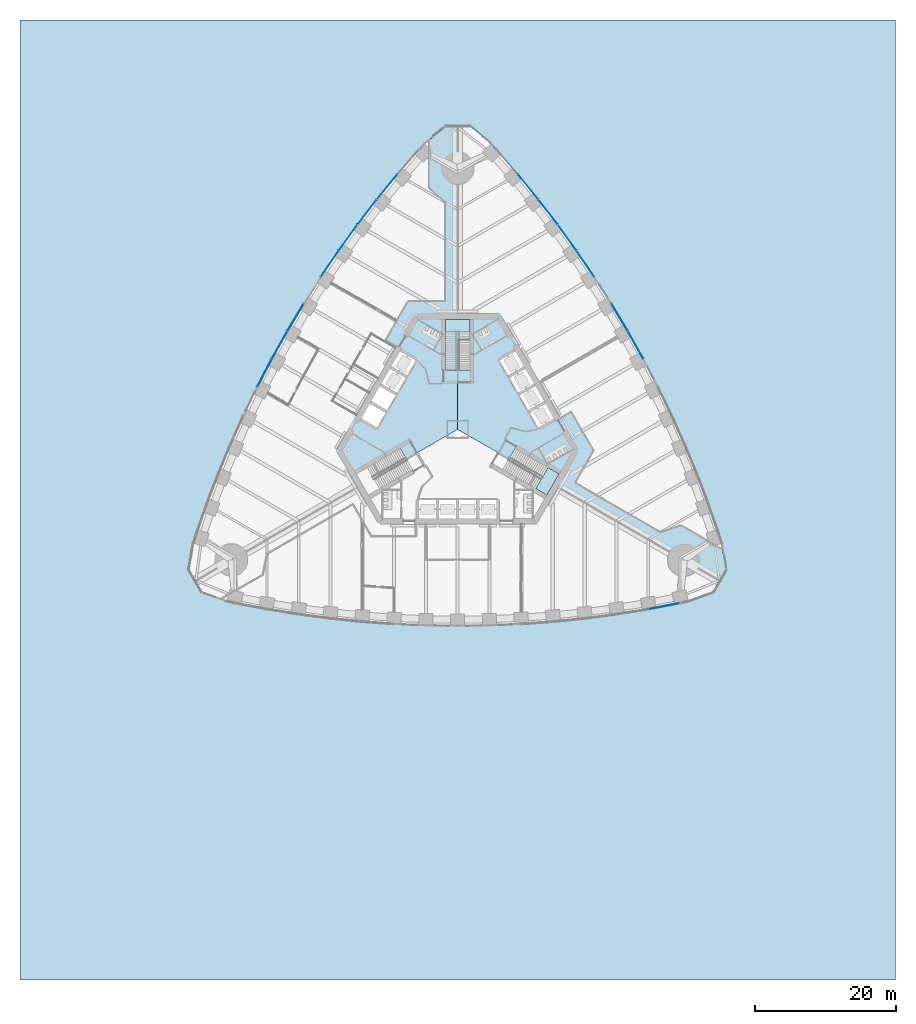
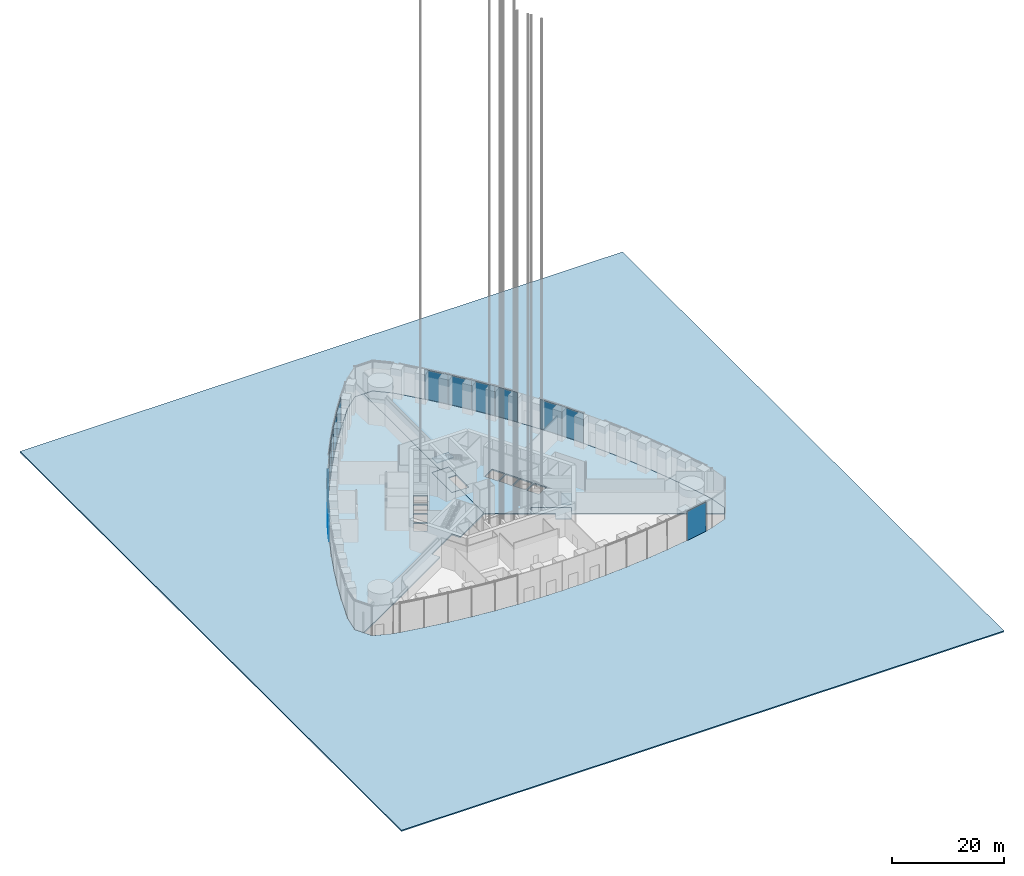
# One storey, part 14 of 43: 14 plates, 7 slabs, 7 elements without a shape of their own.
"""IFC4 building model written with IfcOpenShell, lengths in metres."""

from ifc_helpers import new_model, si_unit, direction, frame, origin, origin_2d, place, context, subcontext, project, spatial, polyline, rectangle, outline, extrude, material, layer, layer_set, type_object, element, aggregate, save


model = new_model("IFC4")

# Units and contexts
model_context = context("Model", 3, precision=1e-05, world=origin(), true_north=direction((0.0, 1.0)))
body_context = subcontext(model_context, "Body", "Model", "MODEL_VIEW")
ifc_project = project(units=[si_unit("LENGTHUNIT", "METRE"), si_unit("AREAUNIT", "SQUARE_METRE"), si_unit("VOLUMEUNIT", "CUBIC_METRE"), si_unit("PLANEANGLEUNIT", "RADIAN"), si_unit("MASSUNIT", "GRAM", prefix="KILO")], contexts=[model_context])

# Site, building, storey
site_placement = place(None, origin())
site = spatial("IfcSite", under=ifc_project, at=site_placement, CompositionType="ELEMENT")
building_placement = place(site_placement, origin())
building = spatial("IfcBuilding", under=site, at=building_placement, Name="Trefoil Bronze Tower", CompositionType="ELEMENT")
storey_placement = place(building_placement, origin())
storey = spatial("IfcBuildingStorey", under=building, at=storey_placement, Name="L00", CompositionType="ELEMENT", Elevation=0.0)

# Curtain wall, plate
ifc_material_1 = material(Name="Tinted solar-control glass", Category="glass")
curtain_wall_type = type_object("IfcCurtainWallType", Name="Bronze podium storefront curtain wall", PredefinedType="USERDEFINED", material=ifc_material_1)
curtain_wall_1_placement = place(storey_placement, origin())
curtain_wall_1 = element("IfcCurtainWall", 1, at=curtain_wall_1_placement, inside=storey, type_object=curtain_wall_type, Name="CW-C L00 F1 run 6", ObjectType="CURTAIN WALL", PredefinedType="USERDEFINED")
ifc_material_2 = material(Name="Tinted solar-control glass", Category="glass")
ifc_layer_1 = layer(ifc_material_2, 0.030029296875)
ifc_layer_set_1 = layer_set([ifc_layer_1], Name="Bronze podium storefront curtain wall glass panel")
plate_type = type_object("IfcPlateType", Name="Bronze podium storefront curtain wall glass panel", PredefinedType="CURTAIN_PANEL", material=ifc_layer_set_1)
plate_1_placement = place(storey_placement, frame((29.268798828125, -25.04638671875, 0.0), z_axis=(0.0, 0.0, 1.0), x_axis=(0.982049823817, 0.188621694249, 0.0)))
plate_1 = element("IfcPlate", 2, at=plate_1_placement, type_object=plate_type, Name="CW-C L00 F1 run 6 panel 5", PredefinedType="CURTAIN_PANEL", context=body_context, shape_type="SweptSolid", body=[
    extrude(rectangle(XDim=4.522216796875, YDim=0.030029296875, at=origin_2d()), origin(), (0.0, 0.0, 1.0), 6.3798828125),
])
aggregate(curtain_wall_1, [plate_1])

# Curtain wall, plates
curtain_wall_2_placement = place(storey_placement, origin())
curtain_wall_2 = element("IfcCurtainWall", 3, at=curtain_wall_2_placement, inside=storey, type_object=curtain_wall_type, Name="CW-C L00 F2 run 3", ObjectType="CURTAIN WALL", PredefinedType="USERDEFINED")
plate_2_placement = place(storey_placement, frame((25.215087890625, 11.958251953125, 0.0), z_axis=(0.0, 0.0, 1.0), x_axis=(-0.487381940453, 0.873188893722, 0.0)))
plate_2 = element("IfcPlate", 4, at=plate_2_placement, type_object=plate_type, Name="CW-C L00 F2 run 3 panel 1", PredefinedType="CURTAIN_PANEL", context=body_context, shape_type="SweptSolid", body=[
    extrude(rectangle(XDim=4.4404296875, YDim=0.030029296875, at=origin_2d()), origin(), (0.0, 0.0, 1.0), 6.3798828125),
])
plate_3_placement = place(storey_placement, frame((22.963623046875, 15.85791015625, 0.0), z_axis=(0.0, 0.0, 1.0), x_axis=(-0.51251279404, 0.858679588639, 0.0)))
plate_3 = element("IfcPlate", 5, at=plate_3_placement, type_object=plate_type, Name="CW-C L00 F2 run 3 panel 2", PredefinedType="CURTAIN_PANEL", context=body_context, shape_type="SweptSolid", body=[
    extrude(rectangle(XDim=4.4404296875, YDim=0.030029296875, at=origin_2d()), origin(), (0.0, 0.0, 1.0), 6.3798828125),
])
aggregate(curtain_wall_2, [plate_2, plate_3])

curtain_wall_3_placement = place(storey_placement, origin())
curtain_wall_3 = element("IfcCurtainWall", 6, at=curtain_wall_3_placement, inside=storey, type_object=curtain_wall_type, Name="CW-C L00 F2 run 5", ObjectType="CURTAIN WALL", PredefinedType="USERDEFINED")
plate_4_placement = place(storey_placement, frame((18.120849609375, 23.460693359375, 0.0), z_axis=(0.0, 0.0, 1.0), x_axis=(-0.56150968077, 0.827470167681, 0.0)))
plate_4 = element("IfcPlate", 7, at=plate_4_placement, type_object=plate_type, Name="CW-C L00 F2 run 5 panel 1", PredefinedType="CURTAIN_PANEL", context=body_context, shape_type="SweptSolid", body=[
    extrude(rectangle(XDim=4.451904296875, YDim=0.030029296875, at=origin_2d()), origin(), (0.0, 0.0, 1.0), 6.3798828125),
])
plate_5_placement = place(storey_placement, frame((15.5283203125, 27.16357421875, 0.0), z_axis=(0.0, 0.0, 1.0), x_axis=(-0.585372522213, 0.810764460394, 0.0)))
plate_5 = element("IfcPlate", 8, at=plate_5_placement, type_object=plate_type, Name="CW-C L00 F2 run 5 panel 2", PredefinedType="CURTAIN_PANEL", context=body_context, shape_type="SweptSolid", body=[
    extrude(rectangle(XDim=4.46337890625, YDim=0.030029296875, at=origin_2d()), origin(), (0.0, 0.0, 1.0), 6.3798828125),
])
plate_6_placement = place(storey_placement, frame((12.821044921875, 30.800048828125, 0.0), z_axis=(0.0, 0.0, 1.0), x_axis=(-0.608807670879, 0.793317855515, 0.0)))
plate_6 = element("IfcPlate", 9, at=plate_6_placement, type_object=plate_type, Name="CW-C L00 F2 run 5 panel 3", PredefinedType="CURTAIN_PANEL", context=body_context, shape_type="SweptSolid", body=[
    extrude(rectangle(XDim=4.478759765625, YDim=0.030029296875, at=origin_2d()), origin(), (0.0, 0.0, 1.0), 6.3798828125),
])
plate_7_placement = place(storey_placement, frame((9.99755859375, 34.369384765625, 0.0), z_axis=(0.0, 0.0, 1.0), x_axis=(-0.631810729457, 0.775122701346, 0.0)))
plate_7 = element("IfcPlate", 10, at=plate_7_placement, type_object=plate_type, Name="CW-C L00 F2 run 5 panel 4", PredefinedType="CURTAIN_PANEL", context=body_context, shape_type="SweptSolid", body=[
    extrude(rectangle(XDim=4.49853515625, YDim=0.030029296875, at=origin_2d()), origin(), (0.0, 0.0, 1.0), 6.3798828125),
])
aggregate(curtain_wall_3, [plate_4, plate_5, plate_6, plate_7])

curtain_wall_4_placement = place(storey_placement, origin())
curtain_wall_4 = element("IfcCurtainWall", 11, at=curtain_wall_4_placement, inside=storey, type_object=curtain_wall_type, Name="CW-C L00 F3 run 1", ObjectType="CURTAIN WALL", PredefinedType="USERDEFINED")
plate_8_placement = place(storey_placement, frame((-9.99755859375, 34.369384765625, 0.0), z_axis=(0.0, 0.0, 1.0), x_axis=(-0.631810729457, -0.775122701346, 0.0)))
plate_8 = element("IfcPlate", 12, at=plate_8_placement, type_object=plate_type, Name="CW-C L00 F3 run 1 panel 3", PredefinedType="CURTAIN_PANEL", context=body_context, shape_type="SweptSolid", body=[
    extrude(rectangle(XDim=4.49853515625, YDim=0.030029296875, at=origin_2d()), origin(), (0.0, 0.0, 1.0), 6.3798828125),
])
plate_9_placement = place(storey_placement, frame((-12.821044921875, 30.800048828125, 0.0), z_axis=(0.0, 0.0, 1.0), x_axis=(-0.608807670879, -0.793317855515, 0.0)))
plate_9 = element("IfcPlate", 13, at=plate_9_placement, type_object=plate_type, Name="CW-C L00 F3 run 1 panel 4", PredefinedType="CURTAIN_PANEL", context=body_context, shape_type="SweptSolid", body=[
    extrude(rectangle(XDim=4.478759765625, YDim=0.030029296875, at=origin_2d()), origin(), (0.0, 0.0, 1.0), 6.3798828125),
])
plate_10_placement = place(storey_placement, frame((-15.5283203125, 27.16357421875, 0.0), z_axis=(0.0, 0.0, 1.0), x_axis=(-0.585372522213, -0.810764460394, 0.0)))
plate_10 = element("IfcPlate", 14, at=plate_10_placement, type_object=plate_type, Name="CW-C L00 F3 run 1 panel 5", PredefinedType="CURTAIN_PANEL", context=body_context, shape_type="SweptSolid", body=[
    extrude(rectangle(XDim=4.46337890625, YDim=0.030029296875, at=origin_2d()), origin(), (0.0, 0.0, 1.0), 6.3798828125),
])
plate_11_placement = place(storey_placement, frame((-18.120849609375, 23.460693359375, 0.0), z_axis=(0.0, 0.0, 1.0), x_axis=(-0.56150968077, -0.827470167681, 0.0)))
plate_11 = element("IfcPlate", 15, at=plate_11_placement, type_object=plate_type, Name="CW-C L00 F3 run 1 panel 6", PredefinedType="CURTAIN_PANEL", context=body_context, shape_type="SweptSolid", body=[
    extrude(rectangle(XDim=4.451904296875, YDim=0.030029296875, at=origin_2d()), origin(), (0.0, 0.0, 1.0), 6.3798828125),
])
aggregate(curtain_wall_4, [plate_8, plate_9, plate_10, plate_11])

curtain_wall_5_placement = place(storey_placement, origin())
curtain_wall_5 = element("IfcCurtainWall", 16, at=curtain_wall_5_placement, inside=storey, type_object=curtain_wall_type, Name="CW-C L00 F3 run 3", ObjectType="CURTAIN WALL", PredefinedType="USERDEFINED")
plate_12_placement = place(storey_placement, frame((-22.963623046875, 15.85791015625, 0.0), z_axis=(0.0, 0.0, 1.0), x_axis=(-0.51251279404, -0.858679588639, 0.0)))
plate_12 = element("IfcPlate", 17, at=plate_12_placement, type_object=plate_type, Name="CW-C L00 F3 run 3 panel 1", PredefinedType="CURTAIN_PANEL", context=body_context, shape_type="SweptSolid", body=[
    extrude(rectangle(XDim=4.4404296875, YDim=0.030029296875, at=origin_2d()), origin(), (0.0, 0.0, 1.0), 6.3798828125),
])
plate_13_placement = place(storey_placement, frame((-25.215087890625, 11.958251953125, 0.0), z_axis=(0.0, 0.0, 1.0), x_axis=(-0.487381940453, -0.873188893722, 0.0)))
plate_13 = element("IfcPlate", 18, at=plate_13_placement, type_object=plate_type, Name="CW-C L00 F3 run 3 panel 2", PredefinedType="CURTAIN_PANEL", context=body_context, shape_type="SweptSolid", body=[
    extrude(rectangle(XDim=4.4404296875, YDim=0.030029296875, at=origin_2d()), origin(), (0.0, 0.0, 1.0), 6.3798828125),
])
plate_14_placement = place(storey_placement, frame((-27.353271484375, 7.9931640625, 0.0), z_axis=(0.0, 0.0, 1.0), x_axis=(-0.46182981834, -0.886968555752, 0.0)))
plate_14 = element("IfcPlate", 19, at=plate_14_placement, type_object=plate_type, Name="CW-C L00 F3 run 3 panel 3", PredefinedType="CURTAIN_PANEL", context=body_context, shape_type="SweptSolid", body=[
    extrude(rectangle(XDim=4.4443359375, YDim=0.030029296875, at=origin_2d()), origin(), (0.0, 0.0, 1.0), 6.3798828125),
])
aggregate(curtain_wall_5, [plate_12, plate_13, plate_14])

# Slabs
ifc_material_3 = material(Name="Concrete B30", Category="concrete")
ifc_layer_2 = layer(ifc_material_3, 0.300048828125)
ifc_layer_set_2 = layer_set([ifc_layer_2], Name="Floor slab 300")
slab_type_1 = type_object("IfcSlabType", Name="Floor slab 300", PredefinedType="FLOOR", material=ifc_layer_set_2)
slab_1_placement = place(storey_placement, frame((0.0, 0.0, -0.300048828125)))
element("IfcSlab", 20, at=slab_1_placement, inside=storey, type_object=slab_type_1, Name="Floor slab L00 face 2", PredefinedType="FLOOR", context=body_context, shape_type="SweptSolid", body=[
    extrude(outline(polyline([(8.47998046875, 36.07275390625), (11.360107421875, 32.53955078125), (14.123291015625, 28.938720703125), (16.771240234375, 25.271240234375), (19.3046875, 21.537841796875), (21.724609375, 17.73876953125), (24.031005859375, 13.874267578125), (26.224609375, 9.944580078125), (28.3046875, 5.949462890625), (30.271240234375, 1.888671875), (32.123291015625, -2.238037109375), (33.860107421875, -6.431640625), (35.47998046875, -10.6923828125), (36.9814453125, -15.021728515625), (37.381103515625, -16.248779296875), (38.0146484375, -19.841552734375), (37.1025390625, -21.421142578125), (13.510009765625, -7.800048828125), (14.37255859375, -6.30615234375), (8.13720703125, -2.7060546875), (7.274658203125, -4.199951171875), (0.0, 0.0), (0.0, 8.39990234375), (1.72509765625, 8.39990234375), (1.72509765625, 15.60009765625), (0.0, 15.60009765625), (0.0, 42.842529296875), (1.82421875, 42.842529296875), (4.618896484375, 40.497314453125), (5.4814453125, 39.537841796875), (8.47998046875, 36.07275390625)]), holes=[polyline([(11.469482421875, 0.184326171875), (10.16943359375, 2.43603515625), (12.3994140625, 3.7236328125), (13.699462890625, 1.471923828125), (11.469482421875, 0.184326171875)]), polyline([(10.04443359375, 2.652587890625), (8.744384765625, 4.904296875), (10.974365234375, 6.191650390625), (12.2744140625, 3.940185546875), (10.04443359375, 2.652587890625)]), polyline([(8.619384765625, 5.120849609375), (7.3193359375, 7.372314453125), (9.54931640625, 8.659912109375), (10.849365234375, 6.408203125), (8.619384765625, 5.120849609375)]), polyline([(7.1943359375, 7.5888671875), (5.894287109375, 9.840576171875), (8.12451171875, 11.128173828125), (9.42431640625, 8.87646484375), (7.1943359375, 7.5888671875)])]), origin(), (0.0, 0.0, 1.0), 0.300048828125),
])
slab_2_placement = place(storey_placement, frame((0.0, 0.0, -0.300048828125)))
element("IfcSlab", 21, at=slab_2_placement, inside=storey, type_object=slab_type_1, Name="Floor slab L00 face 3", PredefinedType="FLOOR", context=body_context, shape_type="SweptSolid", body=[
    extrude(outline(polyline([(-35.47998046875, -10.6923828125), (-33.860107421875, -6.431640625), (-32.123291015625, -2.238037109375), (-30.271240234375, 1.888671875), (-28.3046875, 5.949462890625), (-26.224609375, 9.944580078125), (-24.031005859375, 13.874267578125), (-21.724609375, 17.73876953125), (-19.3046875, 21.537841796875), (-16.771240234375, 25.271240234375), (-14.123291015625, 28.938720703125), (-11.360107421875, 32.53955078125), (-8.47998046875, 36.07275390625), (-5.4814453125, 39.537841796875), (-4.618896484375, 40.497314453125), (-1.82421875, 42.842529296875), (0.0, 42.842529296875), (0.0, 15.60009765625), (-1.72509765625, 15.60009765625), (-1.72509765625, 8.39990234375), (0.0, 8.39990234375), (0.0, 0.0), (-7.274658203125, -4.199951171875), (-8.13720703125, -2.7060546875), (-14.37255859375, -6.30615234375), (-13.510009765625, -7.800048828125), (-37.1025390625, -21.421142578125), (-38.0146484375, -19.841552734375), (-37.381103515625, -16.248779296875), (-36.9814453125, -15.021728515625), (-35.47998046875, -10.6923828125)]), holes=[polyline([(-5.894287109375, 9.840576171875), (-7.1943359375, 7.5888671875), (-9.42431640625, 8.87646484375), (-8.12451171875, 11.128173828125), (-5.894287109375, 9.840576171875)]), polyline([(-7.3193359375, 7.372314453125), (-8.619384765625, 5.120849609375), (-10.849365234375, 6.408203125), (-9.54931640625, 8.659912109375), (-7.3193359375, 7.372314453125)]), polyline([(-8.744384765625, 4.904296875), (-10.04443359375, 2.652587890625), (-12.2744140625, 3.940185546875), (-10.974365234375, 6.191650390625), (-8.744384765625, 4.904296875)]), polyline([(-10.16943359375, 2.43603515625), (-11.469482421875, 0.184326171875), (-13.699462890625, 1.471923828125), (-12.3994140625, 3.7236328125), (-10.16943359375, 2.43603515625)])]), origin(), (0.0, 0.0, 1.0), 0.300048828125),
])
ifc_material_4 = material(Name="Granite paving on concrete base", Category="masonry")
ifc_layer_3 = layer(ifc_material_4, 0.25)
ifc_layer_set_3 = layer_set([ifc_layer_3], Name="Plaza paving 250")
slab_type_2 = type_object("IfcSlabType", Name="Plaza paving 250", PredefinedType="USERDEFINED", material=ifc_layer_set_3)
slab_3_placement = place(storey_placement, frame((0.0, 0.0, -0.25)))
element("IfcSlab", 22, at=slab_3_placement, inside=storey, type_object=slab_type_2, Name="Public plaza paving", ObjectType="PAVING", PredefinedType="USERDEFINED", context=body_context, shape_type="SweptSolid", body=[
    extrude(outline(polyline([(-62.0, -78.0), (62.0, -78.0), (62.0, 58.0), (-62.0, 58.0), (-62.0, -78.0)]), holes=[polyline([(-32.762451171875, -24.248779296875), (-31.5, -24.51611328125), (-27.0, -25.38037109375), (-22.5, -26.10791015625), (-18.0, -26.70068359375), (-13.5, -27.159912109375), (-9.0, -27.4873046875), (-4.5, -27.683349609375), (0.0, -27.748779296875), (4.5, -27.683349609375), (9.0, -27.4873046875), (13.5, -27.159912109375), (18.0, -26.70068359375), (22.5, -26.10791015625), (27.0, -25.38037109375), (31.5, -24.51611328125), (32.762451171875, -24.248779296875), (36.190673828125, -23.0009765625), (38.0146484375, -19.841552734375), (37.381103515625, -16.248779296875), (36.9814453125, -15.021728515625), (35.47998046875, -10.6923828125), (33.860107421875, -6.431640625), (32.123291015625, -2.238037109375), (30.271240234375, 1.888671875), (28.3046875, 5.949462890625), (26.224609375, 9.944580078125), (24.031005859375, 13.874267578125), (21.724609375, 17.73876953125), (19.3046875, 21.537841796875), (16.771240234375, 25.271240234375), (14.123291015625, 28.938720703125), (11.360107421875, 32.53955078125), (8.47998046875, 36.07275390625), (5.4814453125, 39.537841796875), (4.618896484375, 40.497314453125), (1.82421875, 42.842529296875), (-1.82421875, 42.842529296875), (-4.618896484375, 40.497314453125), (-5.4814453125, 39.537841796875), (-8.47998046875, 36.07275390625), (-11.360107421875, 32.53955078125), (-14.123291015625, 28.938720703125), (-16.771240234375, 25.271240234375), (-19.3046875, 21.537841796875), (-21.724609375, 17.73876953125), (-24.031005859375, 13.874267578125), (-26.224609375, 9.944580078125), (-28.3046875, 5.949462890625), (-30.271240234375, 1.888671875), (-32.123291015625, -2.238037109375), (-33.860107421875, -6.431640625), (-35.47998046875, -10.6923828125), (-36.9814453125, -15.021728515625), (-37.381103515625, -16.248779296875), (-38.0146484375, -19.841552734375), (-36.190673828125, -23.0009765625), (-32.762451171875, -24.248779296875)])]), origin(), (0.0, 0.0, 1.0), 0.25),
])
ifc_material_5 = material(Name="Concrete B30", Category="concrete")
ifc_layer_4 = layer(ifc_material_5, 0.199951171875)
ifc_layer_set_4 = layer_set([ifc_layer_4], Name="Stair landing 200")
slab_type_3 = type_object("IfcSlabType", Name="Stair landing 200", PredefinedType="LANDING", material=ifc_layer_set_4)
slab_4_placement = place(storey_placement, frame((0.0, 0.0, -0.199951171875)))
element("IfcSlab", 23, at=slab_4_placement, inside=storey, type_object=slab_type_3, Name="Basement stair cover slab ST1", PredefinedType="LANDING", context=body_context, shape_type="SweptSolid", body=[
    extrude(outline(polyline([(7.237060546875, -4.264892578125), (11.00439453125, -6.43994140625), (10.179443359375, -7.868896484375), (12.6474609375, -9.2939453125), (14.37255859375, -6.30615234375), (8.13720703125, -2.7060546875), (7.237060546875, -4.264892578125)])), origin(), (0.0, 0.0, 1.0), 0.199951171875),
])
slab_5_placement = place(storey_placement, frame((0.0, 0.0, -0.199951171875)))
element("IfcSlab", 24, at=slab_5_placement, inside=storey, type_object=slab_type_3, Name="Basement stair cover slab ST2", PredefinedType="LANDING", context=body_context, shape_type="SweptSolid", body=[
    extrude(outline(polyline([(0.074951171875, 8.39990234375), (0.074951171875, 12.75), (1.72509765625, 12.75), (1.72509765625, 15.60009765625), (-1.72509765625, 15.60009765625), (-1.72509765625, 8.39990234375), (0.074951171875, 8.39990234375)])), origin(), (0.0, 0.0, 1.0), 0.199951171875),
])

# Stair, slab
ifc_material_6 = material(Name="Precast concrete B80", Category="concrete")
stair_type = type_object("IfcStairType", Name="Exit stair 38 risers", PredefinedType="HALF_TURN_STAIR", material=ifc_material_6)
stair_1_placement = place(storey_placement, origin())
stair_1 = element("IfcStair", 25, at=stair_1_placement, inside=storey, type_object=stair_type, Name="Stair ST1 L00", PredefinedType="HALF_TURN_STAIR")
slab_6_placement = place(storey_placement, frame((0.0, 0.0, 3.050048828125)))
slab_6 = element("IfcSlab", 26, at=slab_6_placement, type_object=slab_type_3, Name="ST1 landing 1", PredefinedType="LANDING", context=body_context, shape_type="SweptSolid", body=[
    extrude(outline(polyline([(11.0712890625, -8.3837890625), (12.6474609375, -9.2939453125), (14.37255859375, -6.30615234375), (12.79638671875, -5.39599609375), (11.0712890625, -8.3837890625)])), origin(), (0.0, 0.0, 1.0), 0.199951171875),
])
aggregate(stair_1, [slab_6])

stair_2_placement = place(storey_placement, origin())
stair_2 = element("IfcStair", 27, at=stair_2_placement, inside=storey, type_object=stair_type, Name="Stair ST2 L00", PredefinedType="HALF_TURN_STAIR")
slab_7_placement = place(storey_placement, frame((0.0, 0.0, 3.050048828125)))
slab_7 = element("IfcSlab", 28, at=slab_7_placement, type_object=slab_type_3, Name="ST2 landing 1", PredefinedType="LANDING", context=body_context, shape_type="SweptSolid", body=[
    extrude(outline(polyline([(1.72509765625, 13.780029296875), (1.72509765625, 15.60009765625), (-1.72509765625, 15.60009765625), (-1.72509765625, 13.780029296875), (1.72509765625, 13.780029296875)])), origin(), (0.0, 0.0, 1.0), 0.199951171875),
])
aggregate(stair_2, [slab_7])

save(model, "model.ifc")
